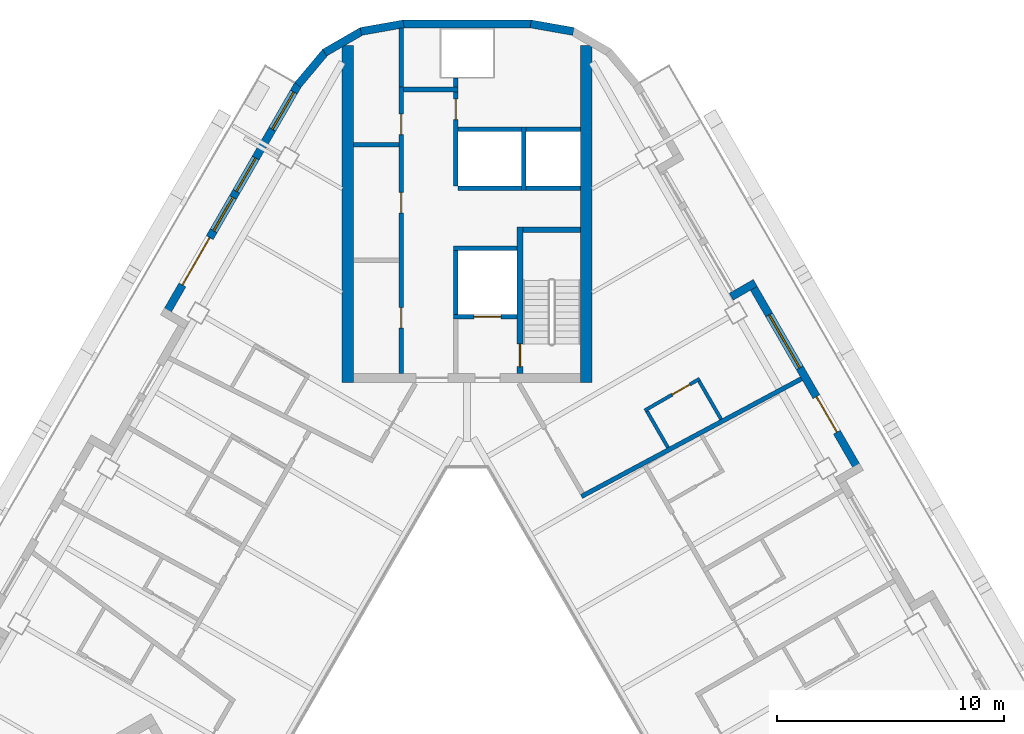
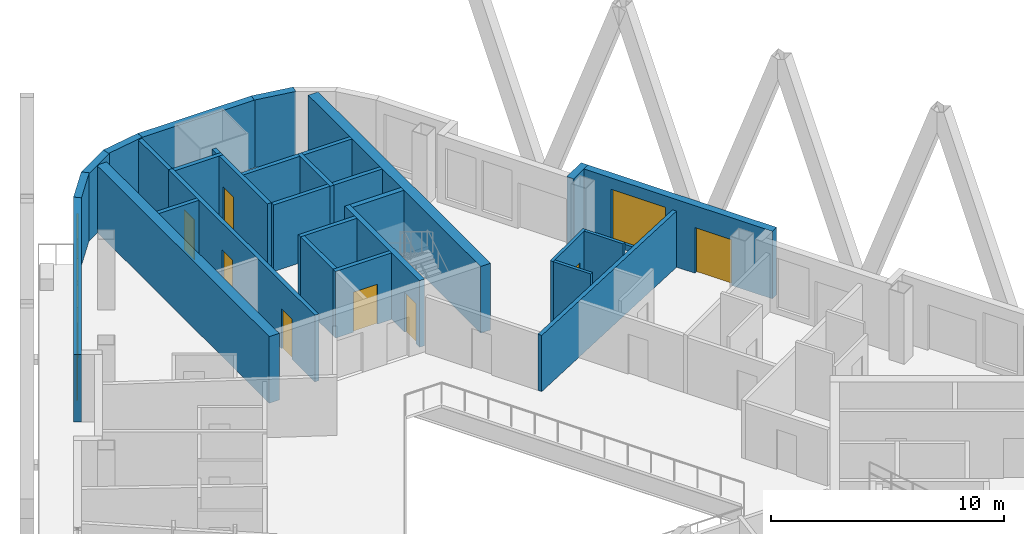
# One storey, part 7 of 14: 30 walls, 9 doors, 4 windows, 13 openings.
"""IFC4 building model written with IfcOpenShell, lengths in metres."""

from ifc_helpers import new_model, si_unit, direction, frame, frame_2d, origin, place, context, subcontext, project, spatial, rectangle, extrude, material, layer, layer_set, type_object, element, fill, save


model = new_model("IFC4")

# Units and contexts
model_context = context("Model", 3, precision=1e-05, world=origin(), true_north=direction((0.0, 1.0)))
body_context = subcontext(model_context, "Body", "Model", "MODEL_VIEW")
ifc_project = project(units=[si_unit("LENGTHUNIT", "METRE"), si_unit("AREAUNIT", "SQUARE_METRE"), si_unit("VOLUMEUNIT", "CUBIC_METRE"), si_unit("PLANEANGLEUNIT", "RADIAN"), si_unit("MASSUNIT", "GRAM", prefix="KILO")], contexts=[model_context])

# Site, building, storey
site_placement = place(None, origin())
site = spatial("IfcSite", under=ifc_project, at=site_placement, CompositionType="ELEMENT")
building_placement = place(site_placement, origin())
building = spatial("IfcBuilding", under=site, at=building_placement, Name="Apuvela Tower Hotel", CompositionType="ELEMENT")
storey_placement = place(building_placement, frame((0.0, 0.0, 202.10009765625)))
storey = spatial("IfcBuildingStorey", under=building, at=storey_placement, Name="L49", CompositionType="ELEMENT", Elevation=202.10009765625)

# Walls
ifc_material_1 = material(Name="Concrete C50/60", Category="concrete")
ifc_layer_1 = layer(ifc_material_1, 0.5)
ifc_layer_set_1 = layer_set([ifc_layer_1], Name="COR-WALL-CORE-500")
wall_type_1 = type_object("IfcWallType", Name="COR-WALL-CORE-500", PredefinedType="SHEAR", material=ifc_layer_set_1)
for number, where, z_axis, x_axis, name in (
    (1, (5.25, 12.89990234375, 0.0), (0.0, 0.0, 1.0), (0.0, 1.0, 0.0), "Core wall N"),
    (2, (-5.25, 12.89990234375, 0.0), (0.0, 0.0, 1.0), (0.0, 1.0, 0.0), "Core wall N"),
):
    element("IfcWall", number, at=place(storey_placement, frame(where, z_axis=z_axis, x_axis=x_axis)), inside=storey, type_object=wall_type_1, Name=name, PredefinedType="SHEAR", context=body_context, shape_type="SweptSolid", body=[
        extrude(rectangle(XDim=14.8369140625, YDim=0.5, at=frame_2d((7.41845703125, 0.0))), origin(), (0.0, 0.0, 1.0), 3.5),
    ])
ifc_material_2 = material(Name="Blockwork 200 mm plastered", Category="masonry")
ifc_layer_2 = layer(ifc_material_2, 0.199951171875)
ifc_layer_set_2 = layer_set([ifc_layer_2], Name="COR-WALL-PART-200")
wall_type_2 = type_object("IfcWallType", Name="COR-WALL-PART-200", PredefinedType="PARTITIONING", material=ifc_layer_set_2)
wall_1_placement = place(storey_placement, frame((5.0, 21.449951171875, 0.0), z_axis=(0.0, 0.0, 1.0), x_axis=(-1.0, 0.0, 0.0)))
element("IfcWall", 3, at=wall_1_placement, inside=storey, type_object=wall_type_2, Name="Partition N", PredefinedType="PARTITIONING", context=body_context, shape_type="SweptSolid", body=[
    extrude(rectangle(XDim=2.39990234375, YDim=0.199951171875, at=frame_2d((1.199951171875, 0.0))), origin(), (0.0, 0.0, 1.0), 3.5),
])
wall_2_placement = place(storey_placement, frame((2.39990234375, 21.449951171875, 0.0), z_axis=(0.0, 0.0, 1.0), x_axis=(-1.0, 0.0, 0.0)))
element("IfcWall", 4, at=wall_2_placement, inside=storey, type_object=wall_type_2, Name="Partition N", PredefinedType="PARTITIONING", context=body_context, shape_type="SweptSolid", body=[
    extrude(rectangle(XDim=2.7998046875, YDim=0.199951171875, at=frame_2d((1.39990234375, 0.0))), origin(), (0.0, 0.0, 1.0), 3.5),
])
ifc_layer_3 = layer(ifc_material_1, 0.199951171875)
ifc_layer_set_3 = layer_set([ifc_layer_3], Name="COR-WALL-SHAFT-200")
wall_type_3 = type_object("IfcWallType", Name="COR-WALL-SHAFT-200", PredefinedType="SHEAR", material=ifc_layer_set_3)
wall_3_placement = place(storey_placement, frame((2.199951171875, 18.800048828125, 0.0), z_axis=(0.0, 0.0, 1.0), x_axis=(-1.0, 0.0, 0.0)))
element("IfcWall", 5, at=wall_3_placement, inside=storey, type_object=wall_type_3, Name="Shaft wall N", PredefinedType="SHEAR", context=body_context, shape_type="SweptSolid", body=[
    extrude(rectangle(XDim=2.800048828125, YDim=0.199951171875, at=frame_2d((1.39990234375, 0.0))), origin(), (0.0, 0.0, 1.0), 3.5),
])

# Wall, opening, door
wall_4_placement = place(storey_placement, frame((2.199951171875, 15.800048828125, 0.0), z_axis=(0.0, 0.0, 1.0), x_axis=(-1.0, 0.0, 0.0)))
wall_4 = element("IfcWall", 6, at=wall_4_placement, inside=storey, type_object=wall_type_3, Name="Shaft wall N", PredefinedType="SHEAR", context=body_context, shape_type="SweptSolid", body=[
    extrude(rectangle(XDim=2.800048828125, YDim=0.199951171875, at=frame_2d((1.39990234375, 0.0))), origin(), (0.0, 0.0, 1.0), 3.5),
])
opening_1_placement = place(wall_4_placement, frame((0.699951171875, 0.0, 0.0)))
opening_1 = element("IfcOpeningElement", 7, at=opening_1_placement, cuts=wall_4, Name="Opening N-LD-FS1", PredefinedType="OPENING", context=body_context, shape_type="SweptSolid", body=[
    extrude(rectangle(XDim=1.199951171875, YDim=2.10009765625, at=frame_2d((0.60009765625, 1.050048828125))), frame((0.0, 0.10986328125, 0.0), z_axis=(0.0, -1.0, 0.0), x_axis=(1.0, 0.0, 0.0)), (0.0, 0.0, 1.0), 0.219970703125),
])
ifc_material_3 = material(Name="Stainless steel lift landing door", Category="steel")
door_type_1 = type_object("IfcDoorType", Name="COR-LD-1200", OperationType="DOUBLE_DOOR_SLIDING", PredefinedType="DOOR", material=ifc_material_3)
door_1_placement = place(opening_1_placement, origin())
door_1 = element("IfcDoor", 8, at=door_1_placement, inside=storey, type_object=door_type_1, Name="Lift landing door N-LD-FS1", OperationType="DOUBLE_DOOR_SLIDING", OverallHeight=2.10009765625, OverallWidth=1.199951171875, PredefinedType="DOOR", context=body_context, shape_type="SweptSolid", body=[
    extrude(rectangle(XDim=1.199951171875, YDim=2.10009765625, at=frame_2d((0.60009765625, 1.050048828125))), frame((0.0, 0.02490234375, 0.0), z_axis=(0.0, -1.0, 0.0), x_axis=(1.0, 0.0, 0.0)), (0.0, 0.0, 1.0), 0.050048828125),
])
fill(opening_1, door_1)

# Wall
wall_5_placement = place(storey_placement, frame((-0.5, 15.89990234375, 0.0), z_axis=(0.0, 0.0, 1.0), x_axis=(0.0, 1.0, 0.0)))
element("IfcWall", 9, at=wall_5_placement, inside=storey, type_object=wall_type_3, Name="Shaft wall N", PredefinedType="SHEAR", context=body_context, shape_type="SweptSolid", body=[
    extrude(rectangle(XDim=2.800048828125, YDim=0.199951171875, at=frame_2d((1.39990234375, 0.0))), origin(), (0.0, 0.0, 1.0), 3.5),
])

# Wall, openings, doors
wall_6_placement = place(storey_placement, frame((-2.89990234375, 13.300048828125, 0.0), z_axis=(0.0, 0.0, 1.0), x_axis=(0.0, 1.0, 0.0)))
wall_6 = element("IfcWall", 10, at=wall_6_placement, inside=storey, type_object=wall_type_3, Name="Shaft wall N", PredefinedType="SHEAR", context=body_context, shape_type="SweptSolid", body=[
    extrude(rectangle(XDim=12.599853515625, YDim=0.199951171875, at=frame_2d((6.2998046875, 0.0))), origin(), (0.0, 0.0, 1.0), 3.5),
])
opening_2_placement = place(wall_6_placement, frame((1.989990234375, 0.0, 0.0)))
opening_2 = element("IfcOpeningElement", 11, at=opening_2_placement, cuts=wall_6, Name="Opening N-RE1", PredefinedType="OPENING", context=body_context, shape_type="SweptSolid", body=[
    extrude(rectangle(XDim=0.89990234375, YDim=2.10009765625, at=frame_2d((0.449951171875, 1.050048828125))), frame((0.0, 0.10986328125, 0.0), z_axis=(0.0, -1.0, 0.0), x_axis=(1.0, 0.0, 0.0)), (0.0, 0.0, 1.0), 0.219970703125),
])
opening_3_placement = place(wall_6_placement, frame((7.070068359375, 0.0, 0.0)))
opening_3 = element("IfcOpeningElement", 12, at=opening_3_placement, cuts=wall_6, Name="Opening N-RE3", PredefinedType="OPENING", context=body_context, shape_type="SweptSolid", body=[
    extrude(rectangle(XDim=0.89990234375, YDim=2.10009765625, at=frame_2d((0.449951171875, 1.050048828125))), frame((0.0, 0.10986328125, 0.0), z_axis=(0.0, -1.0, 0.0), x_axis=(1.0, 0.0, 0.0)), (0.0, 0.0, 1.0), 0.219970703125),
])
opening_4_placement = place(wall_6_placement, frame((10.510009765625, 0.0, 0.0)))
opening_4 = element("IfcOpeningElement", 13, at=opening_4_placement, cuts=wall_6, Name="Opening N-REP", PredefinedType="OPENING", context=body_context, shape_type="SweptSolid", body=[
    extrude(rectangle(XDim=0.89990234375, YDim=2.10009765625, at=frame_2d((0.449951171875, 1.050048828125))), frame((0.0, 0.10986328125, 0.0), z_axis=(0.0, -1.0, 0.0), x_axis=(1.0, 0.0, 0.0)), (0.0, 0.0, 1.0), 0.219970703125),
])
ifc_material_4 = material(Name="Steel fire door, powder coated", Category="steel")
door_type_2 = type_object("IfcDoorType", Name="COR-DR-900", OperationType="NOTDEFINED", PredefinedType="DOOR", material=ifc_material_4)
door_2_placement = place(opening_2_placement, origin())
door_2 = element("IfcDoor", 14, at=door_2_placement, inside=storey, type_object=door_type_2, Name="Store door N-RE1", OperationType="SINGLE_SWING_LEFT", OverallHeight=2.10009765625, OverallWidth=0.89990234375, PredefinedType="DOOR", context=body_context, shape_type="SweptSolid", body=[
    extrude(rectangle(XDim=0.89990234375, YDim=2.10009765625, at=frame_2d((0.449951171875, 1.050048828125))), frame((0.0, 0.02490234375, 0.0), z_axis=(0.0, -1.0, 0.0), x_axis=(1.0, 0.0, 0.0)), (0.0, 0.0, 1.0), 0.050048828125),
])
fill(opening_2, door_2)
door_3_placement = place(opening_3_placement, origin())
door_3 = element("IfcDoor", 15, at=door_3_placement, inside=storey, type_object=door_type_2, Name="Store door N-RE3", OperationType="SINGLE_SWING_LEFT", OverallHeight=2.10009765625, OverallWidth=0.89990234375, PredefinedType="DOOR", context=body_context, shape_type="SweptSolid", body=[
    extrude(rectangle(XDim=0.89990234375, YDim=2.10009765625, at=frame_2d((0.449951171875, 1.050048828125))), frame((0.0, 0.02490234375, 0.0), z_axis=(0.0, -1.0, 0.0), x_axis=(1.0, 0.0, 0.0)), (0.0, 0.0, 1.0), 0.050048828125),
])
fill(opening_3, door_3)
door_4_placement = place(opening_4_placement, origin())
door_4 = element("IfcDoor", 16, at=door_4_placement, inside=storey, type_object=door_type_2, Name="Store door N-REP", OperationType="SINGLE_SWING_RIGHT", OverallHeight=2.10009765625, OverallWidth=0.89990234375, PredefinedType="DOOR", context=body_context, shape_type="SweptSolid", body=[
    extrude(rectangle(XDim=0.89990234375, YDim=2.10009765625, at=frame_2d((0.449951171875, 1.050048828125))), frame((0.0, 0.02490234375, 0.0), z_axis=(0.0, -1.0, 0.0), x_axis=(1.0, 0.0, 0.0)), (0.0, 0.0, 1.0), 0.050048828125),
])
fill(opening_4, door_4)

# Wall
wall_7_placement = place(storey_placement, frame((-0.39990234375, 25.800048828125, 0.0), z_axis=(0.0, 0.0, 1.0), x_axis=(-1.0, 0.0, 0.0)))
element("IfcWall", 17, at=wall_7_placement, inside=storey, type_object=wall_type_3, Name="Shaft wall N", PredefinedType="SHEAR", context=body_context, shape_type="SweptSolid", body=[
    extrude(rectangle(XDim=2.400146484375, YDim=0.199951171875, at=frame_2d((1.2001953125, 0.0))), origin(), (0.0, 0.0, 1.0), 3.5),
])

# Wall, opening, door
wall_8_placement = place(storey_placement, frame((-0.5, 21.550048828125, 0.0), z_axis=(0.0, 0.0, 1.0), x_axis=(0.0, 1.0, 0.0)))
wall_8 = element("IfcWall", 18, at=wall_8_placement, inside=storey, type_object=wall_type_3, Name="Shaft wall N", PredefinedType="SHEAR", context=body_context, shape_type="SweptSolid", body=[
    extrude(rectangle(XDim=4.14990234375, YDim=0.199951171875, at=frame_2d((2.074951171875, 0.0))), origin(), (0.0, 0.0, 1.0), 3.5),
])
opening_5_placement = place(wall_8_placement, frame((2.925048828125, 0.0, 0.0)))
opening_5 = element("IfcOpeningElement", 19, at=opening_5_placement, cuts=wall_8, Name="Opening N-RSP", PredefinedType="OPENING", context=body_context, shape_type="SweptSolid", body=[
    extrude(rectangle(XDim=0.89990234375, YDim=2.10009765625, at=frame_2d((0.449951171875, 1.050048828125))), frame((0.0, 0.10986328125, 0.0), z_axis=(0.0, -1.0, 0.0), x_axis=(1.0, 0.0, 0.0)), (0.0, 0.0, 1.0), 0.219970703125),
])
door_5_placement = place(opening_5_placement, frame((0.89990234375, 0.0, 0.0), z_axis=(0.0, 0.0, 1.0), x_axis=(-1.0, 0.0, 0.0)))
door_5 = element("IfcDoor", 20, at=door_5_placement, inside=storey, type_object=door_type_2, Name="Store door N-RSP", OperationType="SINGLE_SWING_LEFT", OverallHeight=2.10009765625, OverallWidth=0.89990234375, PredefinedType="DOOR", context=body_context, shape_type="SweptSolid", body=[
    extrude(rectangle(XDim=0.89990234375, YDim=2.10009765625, at=frame_2d((0.449951171875, 1.050048828125))), frame((0.0, 0.02490234375, 0.0), z_axis=(0.0, -1.0, 0.0), x_axis=(1.0, 0.0, 0.0)), (0.0, 0.0, 1.0), 0.050048828125),
])
fill(opening_5, door_5)

# Walls
wall_9_placement = place(storey_placement, frame((-3.0, 23.360107421875, 0.0), z_axis=(0.0, 0.0, 1.0), x_axis=(-1.0, 0.0, 0.0)))
element("IfcWall", 21, at=wall_9_placement, inside=storey, type_object=wall_type_3, Name="Shaft wall N", PredefinedType="SHEAR", context=body_context, shape_type="SweptSolid", body=[
    extrude(rectangle(XDim=2.0, YDim=0.199951171875, at=frame_2d((1.0, 0.0))), origin(), (0.0, 0.0, 1.0), 3.5),
])
wall_10_placement = place(storey_placement, frame((-0.5, 25.89990234375, 0.0), z_axis=(0.0, 0.0, 1.0), x_axis=(0.0, 1.0, 0.0)))
element("IfcWall", 22, at=wall_10_placement, inside=storey, type_object=wall_type_3, Name="Shaft wall N", PredefinedType="SHEAR", context=body_context, shape_type="SweptSolid", body=[
    extrude(rectangle(XDim=0.400146484375, YDim=0.199951171875, at=frame_2d((0.2001953125, 0.0))), origin(), (0.0, 0.0, 1.0), 3.5),
])
wall_11_placement = place(storey_placement, frame((-2.89990234375, 25.89990234375, 0.0), z_axis=(0.0, 0.0, 1.0), x_axis=(0.0, 1.0, 0.0)))
element("IfcWall", 23, at=wall_11_placement, inside=storey, type_object=wall_type_3, Name="Shaft wall N", PredefinedType="SHEAR", context=body_context, shape_type="SweptSolid", body=[
    extrude(rectangle(XDim=2.60009765625, YDim=0.199951171875, at=frame_2d((1.300048828125, 0.0))), origin(), (0.0, 0.0, 1.0), 3.5),
])
wall_12_placement = place(storey_placement, frame((2.5, 21.35009765625, 0.0), z_axis=(0.0, 0.0, 1.0), x_axis=(0.0, 1.0, 0.0)))
element("IfcWall", 24, at=wall_12_placement, inside=storey, type_object=wall_type_3, Name="Shaft wall N", PredefinedType="SHEAR", context=body_context, shape_type="SweptSolid", body=[
    extrude(rectangle(XDim=2.7998046875, YDim=0.199951171875, at=frame_2d((1.39990234375, 0.0))), origin(), (0.0, 0.0, 1.0), 3.5),
])
wall_13_placement = place(storey_placement, frame((5.0, 24.050048828125, 0.0), z_axis=(0.0, 0.0, 1.0), x_axis=(-1.0, 0.0, 0.0)))
element("IfcWall", 25, at=wall_13_placement, inside=storey, type_object=wall_type_3, Name="Shaft wall N", PredefinedType="SHEAR", context=body_context, shape_type="SweptSolid", body=[
    extrude(rectangle(XDim=2.39990234375, YDim=0.199951171875, at=frame_2d((1.199951171875, 0.0))), origin(), (0.0, 0.0, 1.0), 3.5),
])
wall_14_placement = place(storey_placement, frame((2.39990234375, 24.050048828125, 0.0), z_axis=(0.0, 0.0, 1.0), x_axis=(-1.0, 0.0, 0.0)))
element("IfcWall", 26, at=wall_14_placement, inside=storey, type_object=wall_type_3, Name="Shaft wall N", PredefinedType="SHEAR", context=body_context, shape_type="SweptSolid", body=[
    extrude(rectangle(XDim=2.7998046875, YDim=0.199951171875, at=frame_2d((1.39990234375, 0.0))), origin(), (0.0, 0.0, 1.0), 3.5),
])

# Wall, opening, door
ifc_layer_4 = layer(ifc_material_1, 0.25)
ifc_layer_set_4 = layer_set([ifc_layer_4], Name="COR-WALL-STAIR-250")
wall_type_4 = type_object("IfcWallType", Name="COR-WALL-STAIR-250", PredefinedType="SHEAR", material=ifc_layer_set_4)
wall_15_placement = place(storey_placement, frame((2.324951171875, 13.300048828125, 0.0), z_axis=(0.0, 0.0, 1.0), x_axis=(0.0, 1.0, 0.0)))
wall_15 = element("IfcWall", 27, at=wall_15_placement, inside=storey, type_object=wall_type_4, Name="Stair wall N", PredefinedType="SHEAR", context=body_context, shape_type="SweptSolid", body=[
    extrude(rectangle(XDim=6.449951171875, YDim=0.25, at=frame_2d((3.22509765625, 0.0))), origin(), (0.0, 0.0, 1.0), 3.5),
])
opening_6_placement = place(wall_15_placement, frame((0.300048828125, 0.0, 0.0)))
opening_6 = element("IfcOpeningElement", 28, at=opening_6_placement, cuts=wall_15, Name="Opening N-SD", PredefinedType="OPENING", context=body_context, shape_type="SweptSolid", body=[
    extrude(rectangle(XDim=1.0, YDim=2.10009765625, at=frame_2d((0.5, 1.050048828125))), frame((0.0, 0.135009765625, 0.0), z_axis=(0.0, -1.0, 0.0), x_axis=(1.0, 0.0, 0.0)), (0.0, 0.0, 1.0), 0.27001953125),
])
door_type_3 = type_object("IfcDoorType", Name="COR-SD-1000", OperationType="NOTDEFINED", PredefinedType="DOOR", material=ifc_material_4)
door_6_placement = place(opening_6_placement, frame((1.0, 0.0, 0.0), z_axis=(0.0, 0.0, 1.0), x_axis=(-1.0, 0.0, 0.0)))
door_6 = element("IfcDoor", 29, at=door_6_placement, inside=storey, type_object=door_type_3, Name="Stair door N-SD", OperationType="SINGLE_SWING_LEFT", OverallHeight=2.10009765625, OverallWidth=1.0, PredefinedType="DOOR", context=body_context, shape_type="SweptSolid", body=[
    extrude(rectangle(XDim=1.0, YDim=2.10009765625, at=frame_2d((0.5, 1.050048828125))), frame((0.0, 0.02490234375, 0.0), z_axis=(0.0, -1.0, 0.0), x_axis=(1.0, 0.0, 0.0)), (0.0, 0.0, 1.0), 0.050048828125),
])
fill(opening_6, door_6)

# Wall
wall_16_placement = place(storey_placement, frame((5.0, 19.625, 0.0), z_axis=(0.0, 0.0, 1.0), x_axis=(-1.0, 0.0, 0.0)))
element("IfcWall", 30, at=wall_16_placement, inside=storey, type_object=wall_type_4, Name="Stair wall N", PredefinedType="SHEAR", context=body_context, shape_type="SweptSolid", body=[
    extrude(rectangle(XDim=2.550048828125, YDim=0.25, at=frame_2d((1.27490234375, 0.0))), origin(), (0.0, 0.0, 1.0), 3.5),
])

# Wall, openings, door, windows
ifc_material_5 = material(Name="Concrete C40/50, dark pigmented precast panel", Category="concrete")
ifc_layer_5 = layer(ifc_material_5, 0.35009765625)
ifc_layer_set_5 = layer_set([ifc_layer_5], Name="ENV-WALL-350")
wall_type_5 = type_object("IfcWallType", Name="ENV-WALL-350", PredefinedType="SOLIDWALL", material=ifc_layer_set_5)
wall_17_placement = place(storey_placement, frame((-7.440673828125, 26.0224609375, 0.0), z_axis=(0.0, 0.0, 1.0), x_axis=(-0.499992533062, -0.86602971478, 0.0)))
wall_17 = element("IfcWall", 31, at=wall_17_placement, inside=storey, type_object=wall_type_5, Name="External wall L49-01", PredefinedType="SOLIDWALL", context=body_context, shape_type="SweptSolid", body=[
    extrude(rectangle(XDim=11.815673828125, YDim=0.35009765625, at=frame_2d((5.90771484375, 0.0))), origin(), (0.0, 0.0, 1.0), 3.5498046875),
])
opening_7_placement = place(wall_17_placement, frame((0.381103515625, 0.0, 0.300048828125)))
opening_7 = element("IfcOpeningElement", 32, at=opening_7_placement, cuts=wall_17, Name="Opening WN19", PredefinedType="OPENING", context=body_context, shape_type="SweptSolid", body=[
    extrude(rectangle(XDim=1.89990234375, YDim=2.64990234375, at=frame_2d((0.949951171875, 1.324951171875))), frame((0.0, 0.18505859375, 0.0), z_axis=(0.0, -1.0, 0.0), x_axis=(1.0, 0.0, 0.0)), (0.0, 0.0, 1.0), 0.3701171875),
])
opening_8_placement = place(wall_17_placement, frame((7.79052734375, 0.0, 0.0)))
opening_8 = element("IfcOpeningElement", 33, at=opening_8_placement, cuts=wall_17, Name="Opening BD24", PredefinedType="OPENING", context=body_context, shape_type="SweptSolid", body=[
    extrude(rectangle(XDim=2.39990234375, YDim=2.39990234375, at=frame_2d((1.199951171875, 1.199951171875))), frame((0.0, 0.18505859375, 0.0), z_axis=(0.0, -1.0, 0.0), x_axis=(1.0, 0.0, 0.0)), (0.0, 0.0, 1.0), 0.3701171875),
])
opening_9_placement = place(wall_17_placement, frame((3.7412109375, 0.0, 0.300048828125)))
opening_9 = element("IfcOpeningElement", 34, at=opening_9_placement, cuts=wall_17, Name="Opening WN17", PredefinedType="OPENING", context=body_context, shape_type="SweptSolid", body=[
    extrude(rectangle(XDim=1.699951171875, YDim=2.64990234375, at=frame_2d((0.85009765625, 1.324951171875))), frame((0.0, 0.18505859375, 0.0), z_axis=(0.0, -1.0, 0.0), x_axis=(1.0, 0.0, 0.0)), (0.0, 0.0, 1.0), 0.3701171875),
])
opening_10_placement = place(wall_17_placement, frame((5.7412109375, 0.0, 0.300048828125)))
opening_10 = element("IfcOpeningElement", 35, at=opening_10_placement, cuts=wall_17, Name="Opening WN17", PredefinedType="OPENING", context=body_context, shape_type="SweptSolid", body=[
    extrude(rectangle(XDim=1.699951171875, YDim=2.64990234375, at=frame_2d((0.85009765625, 1.324951171875))), frame((0.0, 0.18505859375, 0.0), z_axis=(0.0, -1.0, 0.0), x_axis=(1.0, 0.0, 0.0)), (0.0, 0.0, 1.0), 0.3701171875),
])
ifc_material_6 = material(Name="Aluminium 6063-T6, dark bronze anodised frame with dark tinted laminated glass", Category="aluminium")
door_type_4 = type_object("IfcDoorType", Name="ENV-DOOR-BALCONY-2400x2400", OperationType="SLIDING_TO_LEFT", PredefinedType="DOOR", material=ifc_material_6)
door_7_placement = place(opening_8_placement, frame((2.39990234375, 0.0, 0.0), z_axis=(0.0, 0.0, 1.0), x_axis=(-1.0, 0.0, 0.0)))
door_7 = element("IfcDoor", 36, at=door_7_placement, inside=storey, type_object=door_type_4, Name="Balcony door BD24", OperationType="SLIDING_TO_LEFT", OverallHeight=2.39990234375, OverallWidth=2.39990234375, PredefinedType="DOOR", context=body_context, shape_type="SweptSolid", body=[
    extrude(rectangle(XDim=2.39990234375, YDim=2.39990234375, at=frame_2d((1.199951171875, 1.199951171875))), frame((0.0, 0.02490234375, 0.0), z_axis=(0.0, -1.0, 0.0), x_axis=(1.0, 0.0, 0.0)), (0.0, 0.0, 1.0), 0.050048828125),
])
fill(opening_8, door_7)
ifc_material_7 = material(Name="Glass, dark tinted laminated insulated glazing unit", Category="glass")
window_type_1 = type_object("IfcWindowType", Name="ENV-WIN-1700x2650", PartitioningType="SINGLE_PANEL", PredefinedType="WINDOW", material=ifc_material_7)
window_1_placement = place(opening_9_placement, origin())
window_1 = element("IfcWindow", 37, at=window_1_placement, inside=storey, type_object=window_type_1, Name="Window WN17", OverallHeight=2.64990234375, OverallWidth=1.699951171875, PartitioningType="SINGLE_PANEL", PredefinedType="WINDOW", context=body_context, shape_type="SweptSolid", body=[
    extrude(rectangle(XDim=1.699951171875, YDim=2.64990234375, at=frame_2d((0.85009765625, 1.324951171875))), frame((0.0, 0.030029296875, 0.0), z_axis=(0.0, -1.0, 0.0), x_axis=(1.0, 0.0, 0.0)), (0.0, 0.0, 1.0), 0.06005859375),
])
fill(opening_9, window_1)
window_2_placement = place(opening_10_placement, origin())
window_2 = element("IfcWindow", 38, at=window_2_placement, inside=storey, type_object=window_type_1, Name="Window WN17", OverallHeight=2.64990234375, OverallWidth=1.699951171875, PartitioningType="SINGLE_PANEL", PredefinedType="WINDOW", context=body_context, shape_type="SweptSolid", body=[
    extrude(rectangle(XDim=1.699951171875, YDim=2.64990234375, at=frame_2d((0.85009765625, 1.324951171875))), frame((0.0, 0.030029296875, 0.0), z_axis=(0.0, -1.0, 0.0), x_axis=(1.0, 0.0, 0.0)), (0.0, 0.0, 1.0), 0.06005859375),
])
fill(opening_10, window_2)
window_type_2 = type_object("IfcWindowType", Name="ENV-WIN-1900x2650", PartitioningType="SINGLE_PANEL", PredefinedType="WINDOW", material=ifc_material_7)
window_3_placement = place(opening_7_placement, origin())
window_3 = element("IfcWindow", 39, at=window_3_placement, inside=storey, type_object=window_type_2, Name="Window WN19", OverallHeight=2.64990234375, OverallWidth=1.89990234375, PartitioningType="SINGLE_PANEL", PredefinedType="WINDOW", context=body_context, shape_type="SweptSolid", body=[
    extrude(rectangle(XDim=1.89990234375, YDim=2.64990234375, at=frame_2d((0.949951171875, 1.324951171875))), frame((0.0, 0.030029296875, 0.0), z_axis=(0.0, -1.0, 0.0), x_axis=(1.0, 0.0, 0.0)), (0.0, 0.0, 1.0), 0.06005859375),
])
fill(opening_7, window_3)

# Wall, openings, door, window
wall_18_placement = place(storey_placement, frame((17.298583984375, 8.947998046875, 0.0), z_axis=(0.0, 0.0, 1.0), x_axis=(-0.500010041276, 0.866019606374, 0.0)))
wall_18 = element("IfcWall", 40, at=wall_18_placement, inside=storey, type_object=wall_type_5, Name="External wall L49-37", PredefinedType="SOLIDWALL", context=body_context, shape_type="SweptSolid", body=[
    extrude(rectangle(XDim=9.699951171875, YDim=0.35009765625, at=frame_2d((4.85009765625, 0.0))), origin(), (0.0, 0.0, 1.0), 3.5498046875),
])
opening_11_placement = place(wall_18_placement, frame((2.037109375, 0.0, 0.0)))
opening_11 = element("IfcOpeningElement", 41, at=opening_11_placement, cuts=wall_18, Name="Opening BD18", PredefinedType="OPENING", context=body_context, shape_type="SweptSolid", body=[
    extrude(rectangle(XDim=1.800048828125, YDim=2.39990234375, at=frame_2d((0.89990234375, 1.199951171875))), frame((0.0, 0.18505859375, 0.0), z_axis=(0.0, -1.0, 0.0), x_axis=(1.0, 0.0, 0.0)), (0.0, 0.0, 1.0), 0.3701171875),
])
opening_12_placement = place(wall_18_placement, frame((5.300048828125, 0.0, 0.300048828125)))
opening_12 = element("IfcOpeningElement", 42, at=opening_12_placement, cuts=wall_18, Name="Opening WN27", PredefinedType="OPENING", context=body_context, shape_type="SweptSolid", body=[
    extrude(rectangle(XDim=2.699951171875, YDim=2.64990234375, at=frame_2d((1.35009765625, 1.324951171875))), frame((0.0, 0.18505859375, 0.0), z_axis=(0.0, -1.0, 0.0), x_axis=(1.0, 0.0, 0.0)), (0.0, 0.0, 1.0), 0.3701171875),
])
door_type_5 = type_object("IfcDoorType", Name="ENV-DOOR-BALCONY-1800x2400", OperationType="SLIDING_TO_LEFT", PredefinedType="DOOR", material=ifc_material_6)
door_8_placement = place(opening_11_placement, frame((1.800048828125, 0.0, 0.0), z_axis=(0.0, 0.0, 1.0), x_axis=(-1.0, 0.0, 0.0)))
door_8 = element("IfcDoor", 43, at=door_8_placement, inside=storey, type_object=door_type_5, Name="Balcony door BD18", OperationType="SLIDING_TO_LEFT", OverallHeight=2.39990234375, OverallWidth=1.800048828125, PredefinedType="DOOR", context=body_context, shape_type="SweptSolid", body=[
    extrude(rectangle(XDim=1.800048828125, YDim=2.39990234375, at=frame_2d((0.89990234375, 1.199951171875))), frame((0.0, 0.02490234375, 0.0), z_axis=(0.0, -1.0, 0.0), x_axis=(1.0, 0.0, 0.0)), (0.0, 0.0, 1.0), 0.050048828125),
])
fill(opening_11, door_8)
window_type_3 = type_object("IfcWindowType", Name="ENV-WIN-2700x2650", PartitioningType="SINGLE_PANEL", PredefinedType="WINDOW", material=ifc_material_7)
window_4_placement = place(opening_12_placement, origin())
window_4 = element("IfcWindow", 44, at=window_4_placement, inside=storey, type_object=window_type_3, Name="Window WN27", OverallHeight=2.64990234375, OverallWidth=2.699951171875, PartitioningType="SINGLE_PANEL", PredefinedType="WINDOW", context=body_context, shape_type="SweptSolid", body=[
    extrude(rectangle(XDim=2.699951171875, YDim=2.64990234375, at=frame_2d((1.35009765625, 1.324951171875))), frame((0.0, 0.030029296875, 0.0), z_axis=(0.0, -1.0, 0.0), x_axis=(1.0, 0.0, 0.0)), (0.0, 0.0, 1.0), 0.06005859375),
])
fill(opening_12, window_4)

# Walls
wall_19_placement = place(storey_placement, frame((12.6875, 17.284423828125, 0.0), z_axis=(0.0, 0.0, 1.0), x_axis=(-0.865955602162, -0.500120880472, 0.0)))
element("IfcWall", 45, at=wall_19_placement, inside=storey, type_object=wall_type_5, Name="External wall L49-38", PredefinedType="SOLIDWALL", context=body_context, shape_type="SweptSolid", body=[
    extrude(rectangle(XDim=1.219970703125, YDim=0.35009765625, at=frame_2d((0.60986328125, 0.0))), origin(), (0.0, 0.0, 1.0), 3.5498046875),
])
wall_20_placement = place(storey_placement, frame((4.6796875, 28.35595703125, 0.0), z_axis=(0.0, 0.0, 1.0), x_axis=(-0.984798995425, 0.173697837091, 0.0)))
element("IfcWall", 46, at=wall_20_placement, inside=storey, type_object=wall_type_5, Name="External wall L49-44", PredefinedType="SOLIDWALL", context=body_context, shape_type="SweptSolid", body=[
    extrude(rectangle(XDim=1.91015625, YDim=0.35009765625, at=frame_2d((0.955078125, 0.0))), origin(), (0.0, 0.0, 1.0), 3.5498046875),
])
wall_21_placement = place(storey_placement, frame((2.8291015625, 28.68505859375, 0.0), z_axis=(0.0, 0.0, 1.0), x_axis=(-1.0, 0.0, 0.0)))
element("IfcWall", 47, at=wall_21_placement, inside=storey, type_object=wall_type_5, Name="External wall L49-45", PredefinedType="SOLIDWALL", context=body_context, shape_type="SweptSolid", body=[
    extrude(rectangle(XDim=5.658203125, YDim=0.35009765625, at=frame_2d((2.8291015625, 0.0))), origin(), (0.0, 0.0, 1.0), 3.5498046875),
])
for number, where, z_axis, x_axis, name in (
    (48, (-2.798583984375, 28.687744140625, 0.0), (0.0, 0.0, 1.0), (-0.984798995425, -0.173697837091, 0.0), "External wall L49-46"),
    (49, (-4.62255859375, 28.376708984375, 0.0), (0.0, 0.0, 1.0), (-0.866032345022, -0.499987977232, 0.0), "External wall L49-47"),
):
    element("IfcWall", number, at=place(storey_placement, frame(where, z_axis=z_axis, x_axis=x_axis)), inside=storey, type_object=wall_type_5, Name=name, PredefinedType="SOLIDWALL", context=body_context, shape_type="SweptSolid", body=[
        extrude(rectangle(XDim=1.91015625, YDim=0.35009765625, at=frame_2d((0.955078125, 0.0))), origin(), (0.0, 0.0, 1.0), 3.5498046875),
    ])
wall_22_placement = place(storey_placement, frame((-6.230224609375, 27.460693359375, 0.0), z_axis=(0.0, 0.0, 1.0), x_axis=(-0.642808304945, -0.766027077259, 0.0)))
element("IfcWall", 50, at=wall_22_placement, inside=storey, type_object=wall_type_5, Name="External wall L49-48", PredefinedType="SOLIDWALL", context=body_context, shape_type="SweptSolid", body=[
    extrude(rectangle(XDim=1.909912109375, YDim=0.35009765625, at=frame_2d((0.955078125, 0.0))), origin(), (0.0, 0.0, 1.0), 3.5498046875),
])
ifc_material_8 = material(Name="Gypsum board partition on twin steel stud", Category="steel")
ifc_layer_6 = layer(ifc_material_8, 0.199951171875)
ifc_layer_set_6 = layer_set([ifc_layer_6], Name="GST-PW1")
wall_type_6 = type_object("IfcWallType", Name="GST-PW1", PredefinedType="PARTITIONING", material=ifc_layer_set_6)
wall_23_placement = place(storey_placement, frame((14.721923828125, 13.060791015625, 0.0), z_axis=(0.0, 0.0, 1.0), x_axis=(-0.881785716662, -0.471650241059, 0.0)))
element("IfcWall", 51, at=wall_23_placement, inside=storey, type_object=wall_type_6, Name="L49 partition 06", PredefinedType="PARTITIONING", context=body_context, shape_type="SweptSolid", body=[
    extrude(rectangle(XDim=10.985595703125, YDim=0.199951171875, at=frame_2d((5.49267578125, 0.0))), origin(), (0.0, 0.0, 1.0), 2.949951171875),
])

# Wall, opening, door
ifc_material_9 = material(Name="Moisture-resistant gypsum board wet wall on steel stud", Category="steel")
ifc_layer_7 = layer(ifc_material_9, 0.14990234375)
ifc_layer_set_7 = layer_set([ifc_layer_7], Name="GST-PW3")
wall_type_7 = type_object("IfcWallType", Name="GST-PW3", PredefinedType="PARTITIONING", material=ifc_layer_set_7)
wall_24_placement = place(storey_placement, frame((10.24072265625, 13.0625, 0.0), z_axis=(0.0, 0.0, 1.0), x_axis=(-0.865996816683, -0.500049511043, 0.0)))
wall_24 = element("IfcWall", 52, at=wall_24_placement, inside=storey, type_object=wall_type_7, Name="L49 partition 36", PredefinedType="PARTITIONING", context=body_context, shape_type="SweptSolid", body=[
    extrude(rectangle(XDim=2.800048828125, YDim=0.14990234375, at=frame_2d((1.39990234375, 0.0))), origin(), (0.0, 0.0, 1.0), 3.5498046875),
])
opening_13_placement = place(wall_24_placement, frame((0.5, 0.0, 0.0)))
opening_13 = element("IfcOpeningElement", 53, at=opening_13_placement, cuts=wall_24, Name="Opening GD19-15", PredefinedType="OPENING", context=body_context, shape_type="SweptSolid", body=[
    extrude(rectangle(XDim=0.89990234375, YDim=2.10009765625, at=frame_2d((0.449951171875, 1.050048828125))), frame((0.0, 0.0849609375, 0.0), z_axis=(0.0, -1.0, 0.0), x_axis=(1.0, 0.0, 0.0)), (0.0, 0.0, 1.0), 0.169921875),
])
ifc_material_10 = material(Name="Timber door leaf in steel frame", Category="steel")
door_type_6 = type_object("IfcDoorType", Name="GST-D2", OperationType="NOTDEFINED", PredefinedType="DOOR", material=ifc_material_10)
door_9_placement = place(opening_13_placement, origin())
door_9 = element("IfcDoor", 54, at=door_9_placement, inside=storey, type_object=door_type_6, Name="Door L49-15", OperationType="SINGLE_SWING_LEFT", OverallHeight=2.10009765625, OverallWidth=0.89990234375, PredefinedType="DOOR", context=body_context, shape_type="SweptSolid", body=[
    extrude(rectangle(XDim=0.89990234375, YDim=2.10009765625, at=frame_2d((0.449951171875, 1.050048828125))), frame((0.0, 0.02490234375, 0.0), z_axis=(0.0, -1.0, 0.0), x_axis=(1.0, 0.0, 0.0)), (0.0, 0.0, 1.0), 0.050048828125),
])
fill(opening_13, door_9)

# Walls
wall_25_placement = place(storey_placement, frame((11.1826171875, 11.28125, 0.0), z_axis=(0.0, 0.0, 1.0), x_axis=(-0.500013181875, 0.866017793092, 0.0)))
element("IfcWall", 55, at=wall_25_placement, inside=storey, type_object=wall_type_7, Name="L49 partition 37", PredefinedType="PARTITIONING", context=body_context, shape_type="SweptSolid", body=[
    extrude(rectangle(XDim=1.9384765625, YDim=0.14990234375, at=frame_2d((0.96923828125, 0.0))), origin(), (0.0, 0.0, 1.0), 3.5498046875),
])
wall_26_placement = place(storey_placement, frame((8.844482421875, 10.03076171875, 0.0), z_axis=(0.0, 0.0, 1.0), x_axis=(-0.499924019097, 0.866069266935, 0.0)))
element("IfcWall", 56, at=wall_26_placement, inside=storey, type_object=wall_type_7, Name="L49 partition 38", PredefinedType="PARTITIONING", context=body_context, shape_type="SweptSolid", body=[
    extrude(rectangle(XDim=1.852294921875, YDim=0.14990234375, at=frame_2d((0.92626953125, 0.0))), origin(), (0.0, 0.0, 1.0), 3.5498046875),
])

save(model, "model.ifc")
